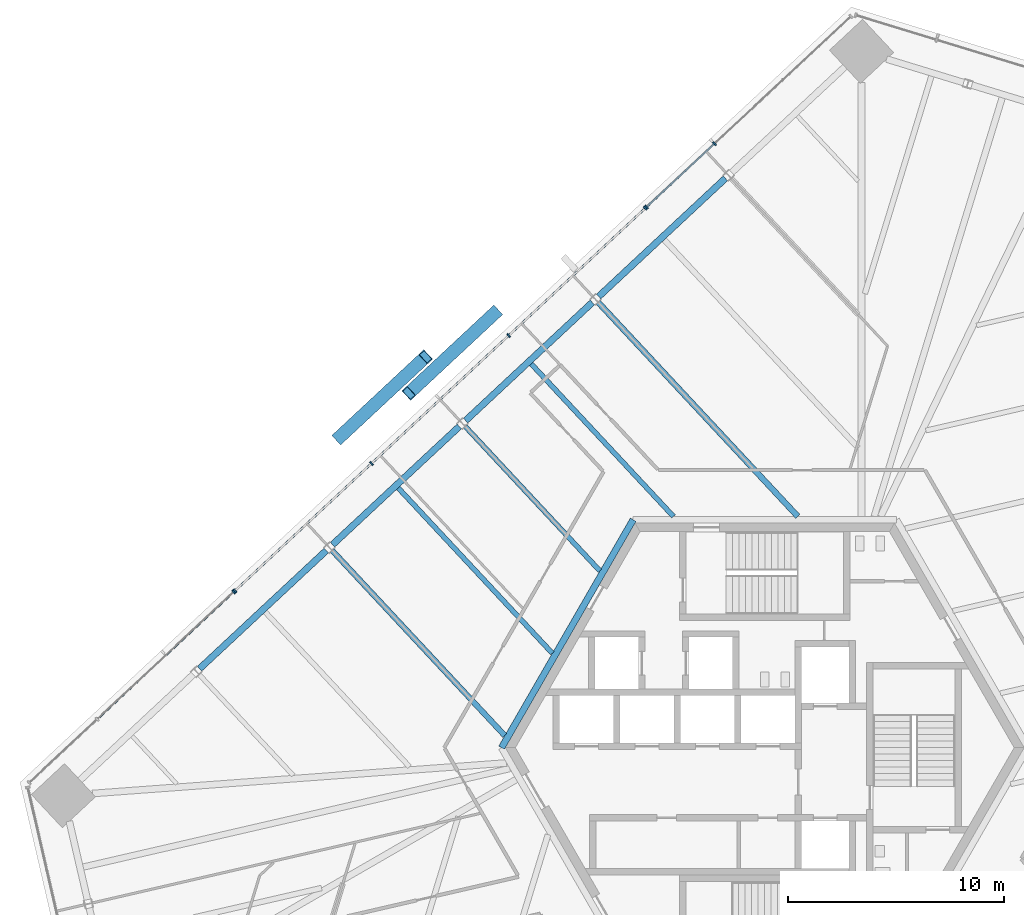
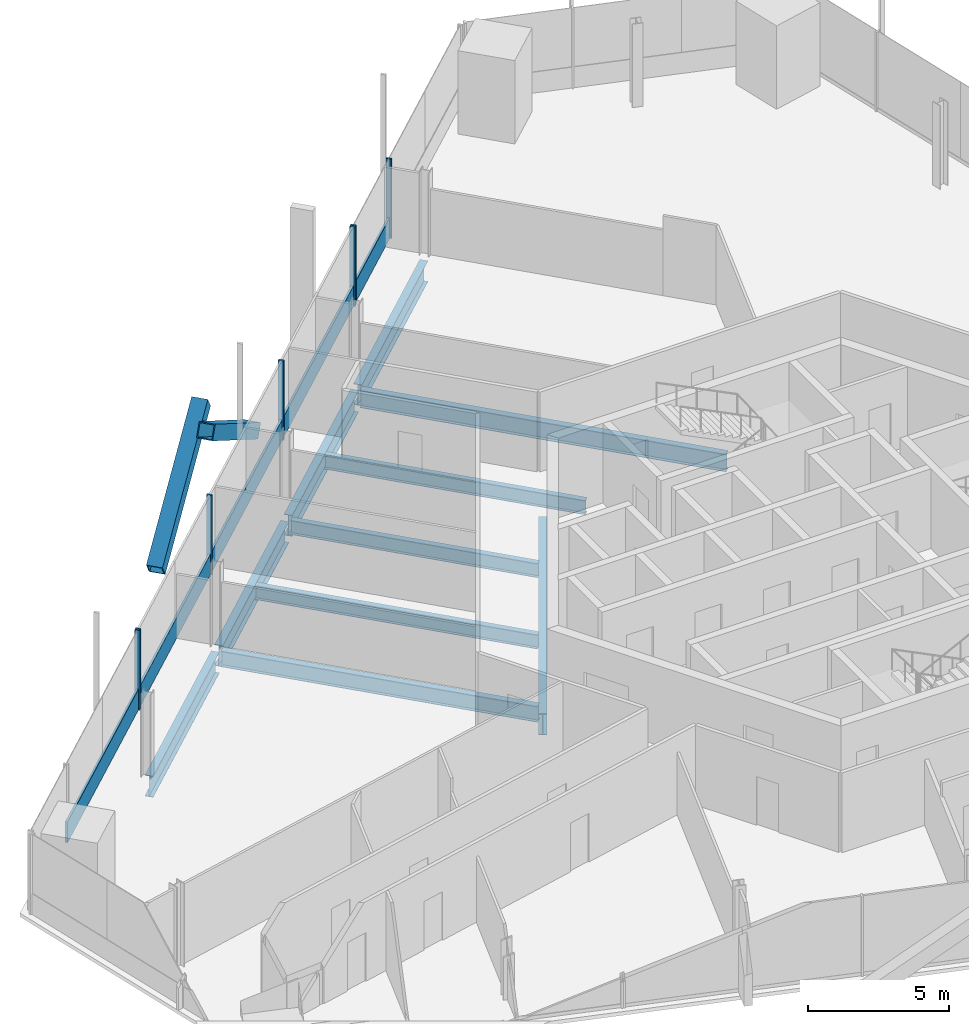
# One storey, part 8 of 24: 14 members, 10 beams, 3 elements without a shape of their own.
"""IFC4 building model written with IfcOpenShell, lengths in metres."""

from ifc_helpers import new_model, si_unit, direction, frame, origin, origin_2d, place, context, subcontext, project, spatial, rectangle, hollow_rectangle, i_section, extrude, source, transform, mapped, material, material_profile, profile_set, type_object, element, aggregate, save


model = new_model("IFC4")

# Units and contexts
model_context = context("Model", 3, precision=1e-05, world=origin(), true_north=direction((0.0, 1.0)))
body_context = subcontext(model_context, "Body", "Model", "MODEL_VIEW")
ifc_project = project(units=[si_unit("LENGTHUNIT", "METRE"), si_unit("AREAUNIT", "SQUARE_METRE"), si_unit("VOLUMEUNIT", "CUBIC_METRE"), si_unit("PLANEANGLEUNIT", "RADIAN"), si_unit("MASSUNIT", "GRAM", prefix="KILO")], contexts=[model_context])

# Site, building, storey
site_placement = place(None, origin())
site = spatial("IfcSite", under=ifc_project, at=site_placement, CompositionType="ELEMENT")
building_placement = place(site_placement, origin())
building = spatial("IfcBuilding", under=site, at=building_placement, Name="Triune Harvest Tower", CompositionType="ELEMENT")
storey_placement = place(building_placement, frame((0.0, 0.0, 112.699951171875)))
storey = spatial("IfcBuildingStorey", under=building, at=storey_placement, Name="L28", CompositionType="ELEMENT", Elevation=112.699951171875)

# Beams
ifc_material_1 = material(Name="Steel ASTM A992 Gr 50", Category="steel")
ifc_material_profile_1 = material_profile(ifc_material_1, i_section(OverallWidth=0.3046875, OverallDepth=0.914306640625, WebThickness=0.0166015625, FlangeThickness=0.02587890625, at=origin_2d()), Name="W36x160")
ifc_profile_set_1 = profile_set([ifc_material_profile_1], Name="Steel ASTM A992 Gr 50")
beam_type_1 = type_object("IfcBeamType", Name="CG-1 Core ring girder W36x160", PredefinedType="BEAM", material=ifc_profile_set_1)
shared_shape_1 = source(origin(), body_context, "Body", "SweptSolid", [
    extrude(i_section(OverallWidth=0.3046875, OverallDepth=0.914306640625, WebThickness=0.0166015625, FlangeThickness=0.02587890625, at=origin_2d()), origin(), (0.0, 0.0, 1.0), 12.176025390625),
])
beam_1_placement = place(storey_placement, frame((-6.087890625, 10.544677734375, -0.6171875), z_axis=(-0.5000099932, -0.866019634131, 0.0), x_axis=(0.866019634131, -0.5000099932, 0.0)))
element("IfcBeam", 1, at=beam_1_placement, inside=storey, type_object=beam_type_1, Name="beam/L28/CG3", PredefinedType="BEAM", context=body_context, shape_type="MappedRepresentation", body=[
    mapped(shared_shape_1, transform((0.0, 0.0, 0.0), scale=1.0)),
])
ifc_material_2 = material(Name="Steel ASTM A992 Gr 50", Category="steel")
ifc_material_profile_2 = material_profile(ifc_material_2, i_section(OverallWidth=0.3046875, OverallDepth=0.914306640625, WebThickness=0.0166015625, FlangeThickness=0.02587890625, at=origin_2d()), Name="W36x160")
ifc_profile_set_2 = profile_set([ifc_material_profile_2], Name="Steel ASTM A992 Gr 50")
beam_type_2 = type_object("IfcBeamType", Name="SB-1 Spandrel beam W36x160", PredefinedType="SPANDREL", material=ifc_profile_set_2)
shared_shape_2 = source(origin(), body_context, "Body", "SweptSolid", [
    extrude(i_section(OverallWidth=0.3046875, OverallDepth=0.914306640625, WebThickness=0.0166015625, FlangeThickness=0.02587890625, at=origin_2d()), origin(), (0.0, 0.0, 1.0), 8.018310546875),
])
for number, where, z_axis, x_axis, name in (
    (2, (-7.9755859375, 20.600341796875, -0.6171875), (-0.731353889465, -0.681998158623, 0.0), (0.681998158623, -0.731353889465, 0.0), "beam/L28/SB11"),
    (3, (-14.129638671875, 14.86181640625, -0.6171875), (-0.731353889465, -0.681998158623, 0.0), (0.681998158623, -0.731353889465, 0.0), "beam/L28/SB12"),
):
    element("IfcBeam", number, at=place(storey_placement, frame(where, z_axis=z_axis, x_axis=x_axis)), inside=storey, type_object=beam_type_2, Name=name, PredefinedType="SPANDREL", context=body_context, shape_type="MappedRepresentation", body=[
        mapped(shared_shape_2, transform((0.0, 0.0, 0.0), scale=1.0)),
    ])
shared_shape_3 = source(origin(), body_context, "Body", "SweptSolid", [
    extrude(i_section(OverallWidth=0.3046875, OverallDepth=0.914306640625, WebThickness=0.0166015625, FlangeThickness=0.02587890625, at=origin_2d()), origin(), (0.0, 0.0, 1.0), 8.01806640625),
])
for number, where, z_axis, x_axis, name in (
    (4, (-1.82177734375, 26.339111328125, -0.6171875), (-0.731339727109, -0.682013345582, 0.0), (0.682013345582, -0.731339727109, 0.0), "beam/L28/SB10"),
    (5, (-20.28369140625, 9.123046875, -0.6171875), (-0.731339727109, -0.682013345582, 0.0), (0.682013345582, -0.731339727109, 0.0), "beam/L28/SB13"),
):
    element("IfcBeam", number, at=place(storey_placement, frame(where, z_axis=z_axis, x_axis=x_axis)), inside=storey, type_object=beam_type_2, Name=name, PredefinedType="SPANDREL", context=body_context, shape_type="MappedRepresentation", body=[
        mapped(shared_shape_3, transform((0.0, 0.0, 0.0), scale=1.0)),
    ])
ifc_material_3 = material(Name="Steel ASTM A992 Gr 50", Category="steel")
ifc_material_profile_3 = material_profile(ifc_material_3, i_section(OverallWidth=0.2666015625, OverallDepth=0.7568359375, WebThickness=0.013916015625, FlangeThickness=0.019287109375, at=origin_2d()), Name="W30x108")
ifc_profile_set_3 = profile_set([ifc_material_profile_3], Name="Steel ASTM A992 Gr 50")
beam_type_3 = type_object("IfcBeamType", Name="JT-5 Floor joist W30x108", PredefinedType="JOIST", material=ifc_profile_set_3)
shared_shape_4 = source(origin(), body_context, "Body", "SweptSolid", [
    extrude(i_section(OverallWidth=0.2666015625, OverallDepth=0.7568359375, WebThickness=0.013916015625, FlangeThickness=0.019287109375, at=origin_2d()), origin(), (0.0, 0.0, 1.0), 13.535400390625),
])
beam_2_placement = place(storey_placement, frame((-7.700927734375, 20.59619140625, -0.538330078125), z_axis=(0.681991710808, -0.731359902093, 0.0), x_axis=(0.731359902093, 0.681991710808, 0.0)))
element("IfcBeam", 6, at=beam_2_placement, inside=storey, type_object=beam_type_3, Name="beam/L28/JT17", PredefinedType="JOIST", context=body_context, shape_type="MappedRepresentation", body=[
    mapped(shared_shape_4, transform((0.0, 0.0, 0.0), scale=1.0)),
])
ifc_material_4 = material(Name="Steel ASTM A992 Gr 50", Category="steel")
ifc_material_profile_4 = material_profile(ifc_material_4, i_section(OverallWidth=0.22900390625, OverallDepth=0.612060546875, WebThickness=0.011962890625, FlangeThickness=0.01953125, at=origin_2d()), Name="W24x84")
ifc_profile_set_4 = profile_set([ifc_material_profile_4], Name="Steel ASTM A992 Gr 50")
beam_type_4 = type_object("IfcBeamType", Name="JT-3 Floor joist W24x84", PredefinedType="JOIST", material=ifc_profile_set_4)
shared_shape_5 = source(origin(), body_context, "Body", "SweptSolid", [
    extrude(i_section(OverallWidth=0.22900390625, OverallDepth=0.612060546875, WebThickness=0.011962890625, FlangeThickness=0.01953125, at=origin_2d()), origin(), (0.0, 0.0, 1.0), 9.64990234375),
])
beam_3_placement = place(storey_placement, frame((-10.8037109375, 17.754638671875, -0.466064453125), z_axis=(0.681982850357, -0.731368164346, 0.0), x_axis=(0.731368164346, 0.681982850357, 0.0)))
element("IfcBeam", 7, at=beam_3_placement, inside=storey, type_object=beam_type_4, Name="beam/L28/JT18", PredefinedType="JOIST", context=body_context, shape_type="MappedRepresentation", body=[
    mapped(shared_shape_5, transform((0.0, 0.0, 0.0), scale=1.0)),
])
shared_shape_6 = source(origin(), body_context, "Body", "SweptSolid", [
    extrude(i_section(OverallWidth=0.22900390625, OverallDepth=0.612060546875, WebThickness=0.011962890625, FlangeThickness=0.01953125, at=origin_2d()), origin(), (0.0, 0.0, 1.0), 9.12890625),
])
beam_4_placement = place(storey_placement, frame((-13.854736328125, 14.857421875, -0.466064453125), z_axis=(0.681991349896, -0.731360238642, 0.0), x_axis=(0.731360238642, 0.681991349896, 0.0)))
element("IfcBeam", 8, at=beam_4_placement, inside=storey, type_object=beam_type_4, Name="beam/L28/JT19", PredefinedType="JOIST", context=body_context, shape_type="MappedRepresentation", body=[
    mapped(shared_shape_6, transform((0.0, 0.0, 0.0), scale=1.0)),
])
shared_shape_7 = source(origin(), body_context, "Body", "SweptSolid", [
    extrude(i_section(OverallWidth=0.22900390625, OverallDepth=0.612060546875, WebThickness=0.011962890625, FlangeThickness=0.01953125, at=origin_2d()), origin(), (0.0, 0.0, 1.0), 10.453369140625),
])
beam_5_placement = place(storey_placement, frame((-16.957763671875, 12.01611328125, -0.466064453125), z_axis=(0.681989491602, -0.731361971492, 0.0), x_axis=(0.731361971492, 0.681989491602, 0.0)))
element("IfcBeam", 9, at=beam_5_placement, inside=storey, type_object=beam_type_4, Name="beam/L28/JT20", PredefinedType="JOIST", context=body_context, shape_type="MappedRepresentation", body=[
    mapped(shared_shape_7, transform((0.0, 0.0, 0.0), scale=1.0)),
])
ifc_material_5 = material(Name="Steel ASTM A992 Gr 50", Category="steel")
ifc_material_profile_5 = material_profile(ifc_material_5, i_section(OverallWidth=0.253662109375, OverallDepth=0.683349609375, WebThickness=0.012451171875, FlangeThickness=0.01904296875, at=origin_2d()), Name="W27x94")
ifc_profile_set_5 = profile_set([ifc_material_profile_5], Name="Steel ASTM A992 Gr 50")
beam_type_5 = type_object("IfcBeamType", Name="JT-4 Floor joist W27x94", PredefinedType="JOIST", material=ifc_profile_set_5)
shared_shape_8 = source(origin(), body_context, "Body", "SweptSolid", [
    extrude(i_section(OverallWidth=0.253662109375, OverallDepth=0.683349609375, WebThickness=0.012451171875, FlangeThickness=0.01904296875, at=origin_2d()), origin(), (0.0, 0.0, 1.0), 11.70166015625),
])
beam_6_placement = place(storey_placement, frame((-20.0087890625, 9.118896484375, -0.50146484375), z_axis=(0.681994076682, -0.731357695913, 0.0), x_axis=(0.731357695913, 0.681994076682, 0.0)))
element("IfcBeam", 10, at=beam_6_placement, inside=storey, type_object=beam_type_5, Name="beam/L28/JT21", PredefinedType="JOIST", context=body_context, shape_type="MappedRepresentation", body=[
    mapped(shared_shape_8, transform((0.0, 0.0, 0.0), scale=1.0)),
])

# Members
ifc_material_6 = material(Name="Steel ASTM A572 Gr 50", Category="steel")
ifc_material_profile_6 = material_profile(ifc_material_6, hollow_rectangle(XDim=0.60009765625, YDim=0.60009765625, WallThickness=0.0400390625, at=origin_2d()), Name="Box 600x600x40")
ifc_profile_set_6 = profile_set([ifc_material_profile_6], Name="Steel ASTM A572 Gr 50")
member_type_1 = type_object("IfcMemberType", Name="BR-2 Brace Box 600x600x40", PredefinedType="BRACE", material=ifc_profile_set_6)
shared_shape_9 = source(origin(), body_context, "Body", "SweptSolid", [
    extrude(hollow_rectangle(XDim=0.60009765625, YDim=0.60009765625, WallThickness=0.0400390625, at=origin_2d()), origin(), (0.0, 0.0, 1.0), 6.566650390625),
])
for number, where, z_axis, x_axis, name in (
    (11, (-12.449462890625, 20.14599609375, 0.0), (-0.611639023518, -0.570369841334, 0.548248072506), (0.682002980671, -0.731349392805, 0.0), "brace/B3-F3/d1/5"),
    (12, (-19.705810546875, 14.336181640625, 0.0), (0.611639023518, 0.570369841334, 0.548248072506), (-0.682002980671, 0.731349392805, 0.0), "brace/B3-F3/d2/5"),
):
    element("IfcMember", number, at=place(storey_placement, frame(where, z_axis=z_axis, x_axis=x_axis)), inside=storey, type_object=member_type_1, Name=name, PredefinedType="BRACE", context=body_context, shape_type="MappedRepresentation", body=[
        mapped(shared_shape_9, transform((0.0, 0.0, 0.0), scale=1.0)),
    ])

# Curtain wall, members
ifc_material_7 = material(Name="Aluminium bronze anodised", Category="aluminium")
curtain_wall_type_1 = type_object("IfcCurtainWallType", Name="CW-1 Tower stick curtain wall", PredefinedType="NOTDEFINED", material=ifc_material_7)
curtain_wall_1_placement = place(storey_placement, origin())
curtain_wall_1 = element("IfcCurtainWall", 13, at=curtain_wall_1_placement, inside=storey, type_object=curtain_wall_type_1, Name="CW-1 B3-F3 L28 run 1")
ifc_material_8 = material(Name="Aluminium bronze anodised", Category="aluminium")
ifc_material_profile_7 = material_profile(ifc_material_8, rectangle(XDim=0.199951171875, YDim=0.074951171875, at=origin_2d()), Name="MU-1 mullion 75 x 200")
ifc_profile_set_7 = profile_set([ifc_material_profile_7], Name="Aluminium bronze anodised")
member_type_2 = type_object("IfcMemberType", Name="MU-1 mullion 75 x 200", PredefinedType="MULLION", material=ifc_profile_set_7)
shared_shape_10 = source(origin(), body_context, "Body", "SweptSolid", [
    extrude(rectangle(XDim=0.199951171875, YDim=0.074951171875, at=origin_2d()), origin(), (0.0, 0.0, 1.0), 3.43994140625),
])
member_1_placement = place(storey_placement, frame((-2.328857421875, 27.942626953125, 0.0), z_axis=(0.0, 0.0, 1.0), x_axis=(0.681998456537, -0.731353611655, 0.0)))
member_1 = element("IfcMember", 14, at=member_1_placement, type_object=member_type_2, Name="CW-1 mullion B3-F3 1.3", PredefinedType="MULLION", context=body_context, shape_type="MappedRepresentation", body=[
    mapped(shared_shape_10, transform((0.0, 0.0, 0.0), scale=1.0)),
])
member_2_placement = place(storey_placement, frame((-5.474365234375, 25.00927734375, 0.0), z_axis=(0.0, 0.0, 1.0), x_axis=(0.681998456537, -0.731353611655, 0.0)))
member_2 = element("IfcMember", 15, at=member_2_placement, type_object=member_type_2, Name="CW-1 mullion B3-F3 1.4", PredefinedType="MULLION", context=body_context, shape_type="MappedRepresentation", body=[
    mapped(shared_shape_10, transform((0.0, 0.0, 0.0), scale=1.0)),
])

ifc_material_9 = material(Name="Aluminium bronze anodised", Category="aluminium")
curtain_wall_type_2 = type_object("IfcCurtainWallType", Name="CW-7 Tower stick curtain wall with insulated spandrel infill", PredefinedType="NOTDEFINED", material=ifc_material_9)
curtain_wall_2_placement = place(storey_placement, origin())
curtain_wall_2 = element("IfcCurtainWall", 16, at=curtain_wall_2_placement, inside=storey, type_object=curtain_wall_type_2, Name="CW-7 B3-F3 L28 run 1001")
member_3_placement = place(storey_placement, frame((-5.529296875, 24.958251953125, 0.0), z_axis=(0.0, 0.0, 1.0), x_axis=(0.681998987822, -0.731353116224, 0.0)))
member_3 = element("IfcMember", 17, at=member_3_placement, type_object=member_type_2, Name="CW-7 mullion B3-F3 1001.1", PredefinedType="MULLION", context=body_context, shape_type="MappedRepresentation", body=[
    mapped(shared_shape_10, transform((0.0, 0.0, 0.0), scale=1.0)),
])
member_4_placement = place(storey_placement, frame((-11.84765625, 19.066162109375, 0.0), z_axis=(0.0, 0.0, 1.0), x_axis=(0.681998987822, -0.731353116224, 0.0)))
member_4 = element("IfcMember", 18, at=member_4_placement, type_object=member_type_2, Name="CW-7 mullion B3-F3 1001.3", PredefinedType="MULLION", context=body_context, shape_type="MappedRepresentation", body=[
    mapped(shared_shape_10, transform((0.0, 0.0, 0.0), scale=1.0)),
])
member_5_placement = place(storey_placement, frame((-18.193359375, 13.148681640625, 0.0), z_axis=(0.0, 0.0, 1.0), x_axis=(0.681998987822, -0.731353116224, 0.0)))
member_5 = element("IfcMember", 19, at=member_5_placement, type_object=member_type_2, Name="CW-7 mullion B3-F3 1001.5", PredefinedType="MULLION", context=body_context, shape_type="MappedRepresentation", body=[
    mapped(shared_shape_10, transform((0.0, 0.0, 0.0), scale=1.0)),
])
member_6_placement = place(storey_placement, frame((-24.51171875, 7.2568359375, 0.0), z_axis=(0.0, 0.0, 1.0), x_axis=(0.681998987822, -0.731353116224, 0.0)))
member_6 = element("IfcMember", 20, at=member_6_placement, type_object=member_type_2, Name="CW-7 mullion B3-F3 1001.7", PredefinedType="MULLION", context=body_context, shape_type="MappedRepresentation", body=[
    mapped(shared_shape_10, transform((0.0, 0.0, 0.0), scale=1.0)),
])

# Curtain wall, member
curtain_wall_3_placement = place(storey_placement, origin())
curtain_wall_3 = element("IfcCurtainWall", 21, at=curtain_wall_3_placement, inside=storey, type_object=curtain_wall_type_1, Name="CW-1 B3-F3 L28 run 2001")
member_7_placement = place(storey_placement, frame((-24.56640625, 7.20556640625, 0.0), z_axis=(0.0, 0.0, 1.0), x_axis=(0.681998456537, -0.731353611655, 0.0)))
member_7 = element("IfcMember", 22, at=member_7_placement, type_object=member_type_2, Name="CW-1 mullion B3-F3 2001.1", PredefinedType="MULLION", context=body_context, shape_type="MappedRepresentation", body=[
    mapped(shared_shape_10, transform((0.0, 0.0, 0.0), scale=1.0)),
])

# Member
ifc_material_10 = material(Name="Aluminium bronze anodised", Category="aluminium")
ifc_material_profile_8 = material_profile(ifc_material_10, rectangle(XDim=0.090087890625, YDim=0.89990234375, at=origin_2d()), Name="TR-1 transom 90 x 900")
ifc_profile_set_8 = profile_set([ifc_material_profile_8], Name="Aluminium bronze anodised")
member_type_3 = type_object("IfcMemberType", Name="TR-1 transom 90 x 900", PredefinedType="USERDEFINED", material=ifc_profile_set_8)
shared_shape_11 = source(origin(), body_context, "Body", "SweptSolid", [
    extrude(rectangle(XDim=0.090087890625, YDim=0.89990234375, at=origin_2d()), origin(), (0.0, 0.0, 1.0), 8.564208984375),
])
member_8_placement = place(storey_placement, frame((-5.556640625, 24.9326171875, 0.449951171875), z_axis=(-0.731349073873, -0.682003322679, 0.0), x_axis=(0.682003322679, -0.731349073873, 0.0)))
member_8 = element("IfcMember", 23, at=member_8_placement, type_object=member_type_3, Name="CW-7 transom B3-F3 1001.1", ObjectType="TRANSOM", PredefinedType="USERDEFINED", context=body_context, shape_type="MappedRepresentation", body=[
    mapped(shared_shape_11, transform((0.0, 0.0, 0.0), scale=1.0)),
])

shared_shape_12 = source(origin(), body_context, "Body", "SweptSolid", [
    extrude(rectangle(XDim=0.090087890625, YDim=0.89990234375, at=origin_2d()), origin(), (0.0, 0.0, 1.0), 8.56396484375),
])
member_9_placement = place(storey_placement, frame((-18.220703125, 13.123046875, 0.449951171875), z_axis=(-0.731363292822, -0.681988074612, 0.0), x_axis=(0.681988074612, -0.731363292822, 0.0)))
member_9 = element("IfcMember", 24, at=member_9_placement, type_object=member_type_3, Name="CW-7 transom B3-F3 1001.3", ObjectType="TRANSOM", PredefinedType="USERDEFINED", context=body_context, shape_type="MappedRepresentation", body=[
    mapped(shared_shape_12, transform((0.0, 0.0, 0.0), scale=1.0)),
])

member_10_placement = place(storey_placement, frame((-24.593994140625, 7.179931640625, 0.449951171875), z_axis=(-0.731363292822, -0.681988074612, 0.0), x_axis=(0.681988074612, -0.731363292822, 0.0)))
member_10 = element("IfcMember", 25, at=member_10_placement, type_object=member_type_3, Name="CW-1 transom B3-F3 2001.1", ObjectType="TRANSOM", PredefinedType="USERDEFINED", context=body_context, shape_type="MappedRepresentation", body=[
    mapped(shared_shape_12, transform((0.0, 0.0, 0.0), scale=1.0)),
])

aggregate(curtain_wall_3, [member_7, member_10])

shared_shape_13 = source(origin(), body_context, "Body", "SweptSolid", [
    extrude(rectangle(XDim=0.090087890625, YDim=0.89990234375, at=origin_2d()), origin(), (0.0, 0.0, 1.0), 4.225830078125),
])
member_11_placement = place(storey_placement, frame((-2.3564453125, 27.9169921875, 0.449951171875), z_axis=(-0.731345300988, -0.682007368525, 0.0), x_axis=(0.682007368525, -0.731345300988, 0.0)))
member_11 = element("IfcMember", 26, at=member_11_placement, type_object=member_type_3, Name="CW-1 transom B3-F3 1.2", ObjectType="TRANSOM", PredefinedType="USERDEFINED", context=body_context, shape_type="MappedRepresentation", body=[
    mapped(shared_shape_13, transform((0.0, 0.0, 0.0), scale=1.0)),
])

aggregate(curtain_wall_1, [member_1, member_2, member_11])

shared_shape_14 = source(origin(), body_context, "Body", "SweptSolid", [
    extrude(rectangle(XDim=0.090087890625, YDim=0.89990234375, at=origin_2d()), origin(), (0.0, 0.0, 1.0), 8.601806640625),
])
member_12_placement = place(storey_placement, frame((-11.875, 19.040771484375, 0.449951171875), z_axis=(-0.731354391604, -0.681997620143, 0.0), x_axis=(0.681997620143, -0.731354391604, 0.0)))
member_12 = element("IfcMember", 27, at=member_12_placement, type_object=member_type_3, Name="CW-7 transom B3-F3 1001.2", ObjectType="TRANSOM", PredefinedType="USERDEFINED", context=body_context, shape_type="MappedRepresentation", body=[
    mapped(shared_shape_14, transform((0.0, 0.0, 0.0), scale=1.0)),
])

aggregate(curtain_wall_2, [member_3, member_4, member_5, member_6, member_8, member_12, member_9])

save(model, "model.ifc")
